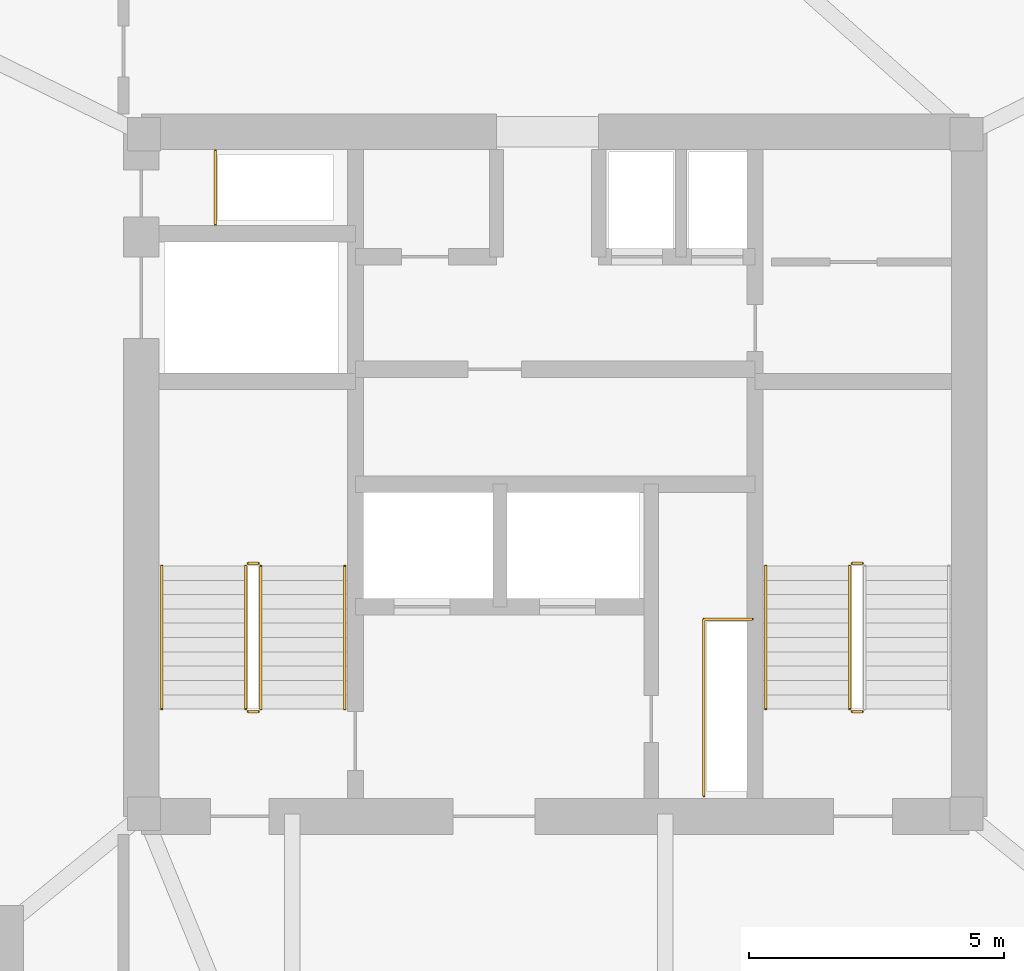
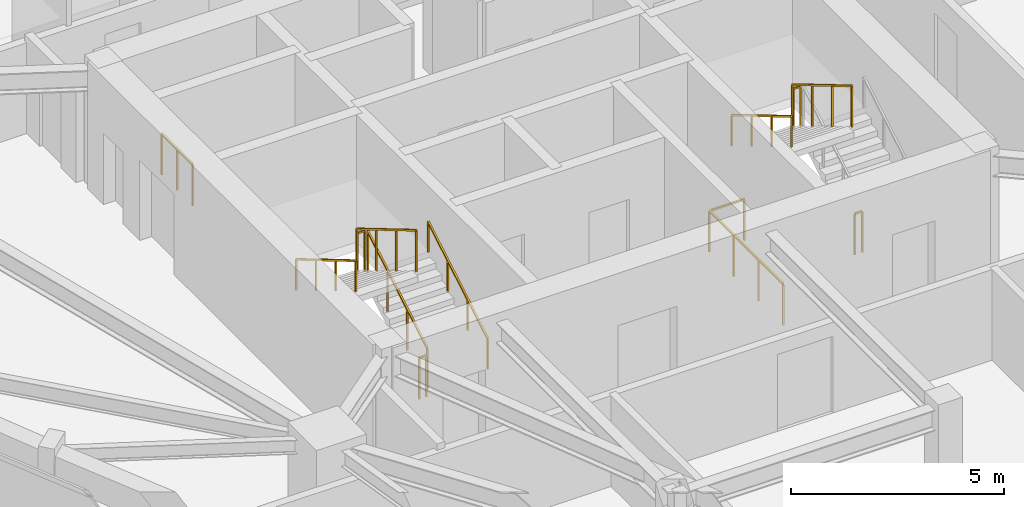
# One storey, part 12 of 13: 12 railings.
"""IFC4 building model written with IfcOpenShell, lengths in metres."""

from ifc_helpers import new_model, si_unit, direction, frame, origin, origin_2d, place, context, subcontext, project, spatial, rectangle, extrude, material, type_object, element, save


model = new_model("IFC4")

# Units and contexts
model_context = context("Model", 3, precision=1e-05, world=origin(), true_north=direction((0.0, 1.0)))
body_context = subcontext(model_context, "Body", "Model", "MODEL_VIEW")
ifc_project = project(units=[si_unit("LENGTHUNIT", "METRE"), si_unit("AREAUNIT", "SQUARE_METRE"), si_unit("VOLUMEUNIT", "CUBIC_METRE"), si_unit("PLANEANGLEUNIT", "RADIAN"), si_unit("MASSUNIT", "GRAM", prefix="KILO")], contexts=[model_context])

# Site, building, storey
site_placement = place(None, origin())
site = spatial("IfcSite", under=ifc_project, at=site_placement, CompositionType="ELEMENT")
building_placement = place(site_placement, origin())
building = spatial("IfcBuilding", under=site, at=building_placement, Name="Talyreon Biosciences Tower", CompositionType="ELEMENT")
storey_placement = place(building_placement, frame((0.0, 0.0, 190.35009765625)))
storey = spatial("IfcBuildingStorey", under=building, at=storey_placement, Name="L50", CompositionType="ELEMENT", Elevation=190.35009765625)

# Railings
ifc_material_1 = material(Name="Brushed stainless-steel tubular handrail", Category="steel")
railing_type_1 = type_object("IfcRailingType", Name="StairWallHandrail_900", PredefinedType="HANDRAIL", material=ifc_material_1)
railing_1_placement = place(storey_placement, frame((61.8798828125, 63.39990234375, 0.165771484375)))
element("IfcRailing", 1, at=railing_1_placement, inside=storey, type_object=railing_type_1, Name="L50 ST-1 stair handrail 1", PredefinedType="HANDRAIL", context=body_context, shape_type="SweptSolid", body=[
    extrude(rectangle(XDim=0.048095703125, YDim=0.048095703125, at=origin_2d()), frame((0.0, 0.0, 0.8759765625), z_axis=(0.0, 0.860306154799, 0.50977771628), x_axis=(-1.0, 0.0, 0.0)), (0.0, 0.0, 1.0), 3.254638671875),
    extrude(rectangle(XDim=0.0419921875, YDim=0.0419921875, at=origin_2d()), origin(), (0.0, 0.0, 1.0), 0.851806640625),
    extrude(rectangle(XDim=0.0419921875, YDim=0.0419921875, at=origin_2d()), frame((0.0, 0.933349609375, 0.552978515625)), (0.0, 0.0, 1.0), 0.851806640625),
    extrude(rectangle(XDim=0.0419921875, YDim=0.0419921875, at=origin_2d()), frame((0.0, 1.86669921875, 1.106201171875)), (0.0, 0.0, 1.0), 0.851806640625),
    extrude(rectangle(XDim=0.0419921875, YDim=0.0419921875, at=origin_2d()), frame((0.0, 2.800048828125, 1.6591796875)), (0.0, 0.0, 1.0), 0.851806640625),
])
for number, where, name in (
    (2, (58.300048828125, 66.199951171875, 1.99072265625), "L50 ST-1 stair handrail 2"),
    (3, (70.1201171875, 66.199951171875, 1.99072265625), "L50 ST-2 stair handrail 2"),
):
    element("IfcRailing", number, at=place(storey_placement, frame(where)), inside=storey, type_object=railing_type_1, Name=name, PredefinedType="HANDRAIL", context=body_context, shape_type="SweptSolid", body=[
        extrude(rectangle(XDim=0.048095703125, YDim=0.048095703125, at=origin_2d()), frame((0.0, 0.0, 0.8759765625), z_axis=(0.0, -0.860306154799, 0.50977771628), x_axis=(1.0, 0.0, 0.0)), (0.0, 0.0, 1.0), 3.254638671875),
        extrude(rectangle(XDim=0.0419921875, YDim=0.0419921875, at=origin_2d()), origin(), (0.0, 0.0, 1.0), 0.851806640625),
        extrude(rectangle(XDim=0.0419921875, YDim=0.0419921875, at=origin_2d()), frame((0.0, -0.933349609375, 0.552978515625)), (0.0, 0.0, 1.0), 0.851806640625),
        extrude(rectangle(XDim=0.0419921875, YDim=0.0419921875, at=origin_2d()), frame((0.0, -1.86669921875, 1.106201171875)), (0.0, 0.0, 1.0), 0.851806640625),
        extrude(rectangle(XDim=0.0419921875, YDim=0.0419921875, at=origin_2d()), frame((0.0, -2.800048828125, 1.6591796875)), (0.0, 0.0, 1.0), 0.851806640625),
    ])
ifc_material_2 = material(Name="Painted galvanised steel post-and-rail balustrade", Category="steel")
railing_type_2 = type_object("IfcRailingType", Name="TerraceStairGuard_1200", PredefinedType="GUARDRAIL", material=ifc_material_2)
railing_2_placement = place(storey_placement, frame((60.239990234375, 63.39990234375, 0.165771484375)))
element("IfcRailing", 4, at=railing_2_placement, inside=storey, type_object=railing_type_2, Name="L50 ST-1 stair guard 1", PredefinedType="GUARDRAIL", context=body_context, shape_type="SweptSolid", body=[
    extrude(rectangle(XDim=0.048095703125, YDim=0.048095703125, at=origin_2d()), frame((0.0, 0.0, 1.17578125), z_axis=(0.0, 0.860306154799, 0.50977771628), x_axis=(-1.0, 0.0, 0.0)), (0.0, 0.0, 1.0), 3.254638671875),
    extrude(rectangle(XDim=0.0419921875, YDim=0.0419921875, at=origin_2d()), origin(), (0.0, 0.0, 1.0), 1.15185546875),
    extrude(rectangle(XDim=0.0419921875, YDim=0.0419921875, at=origin_2d()), frame((0.0, 0.933349609375, 0.552978515625)), (0.0, 0.0, 1.0), 1.15185546875),
    extrude(rectangle(XDim=0.0419921875, YDim=0.0419921875, at=origin_2d()), frame((0.0, 1.86669921875, 1.106201171875)), (0.0, 0.0, 1.0), 1.15185546875),
    extrude(rectangle(XDim=0.0419921875, YDim=0.0419921875, at=origin_2d()), frame((0.0, 2.800048828125, 1.6591796875)), (0.0, 0.0, 1.0), 1.15185546875),
])
railing_3_placement = place(storey_placement, frame((60.18994140625, 66.25, 1.824951171875)))
element("IfcRailing", 5, at=railing_3_placement, inside=storey, type_object=railing_type_2, Name="L50 ST-1 stair guard 2", PredefinedType="GUARDRAIL", context=body_context, shape_type="SweptSolid", body=[
    extrude(rectangle(XDim=0.048095703125, YDim=0.048095703125, at=origin_2d()), frame((0.0, 0.0, 1.17578125), z_axis=(-1.0, 0.0, 0.0), x_axis=(0.0, -1.0, 0.0)), (0.0, 0.0, 1.0), 0.199951171875),
    extrude(rectangle(XDim=0.0419921875, YDim=0.0419921875, at=origin_2d()), origin(), (0.0, 0.0, 1.0), 1.15185546875),
    extrude(rectangle(XDim=0.0419921875, YDim=0.0419921875, at=origin_2d()), frame((-0.199951171875, 0.0, 0.0)), (0.0, 0.0, 1.0), 1.15185546875),
])
railing_4_placement = place(storey_placement, frame((59.93994140625, 66.199951171875, 1.99072265625)))
element("IfcRailing", 6, at=railing_4_placement, inside=storey, type_object=railing_type_2, Name="L50 ST-1 stair guard 3", PredefinedType="GUARDRAIL", context=body_context, shape_type="SweptSolid", body=[
    extrude(rectangle(XDim=0.048095703125, YDim=0.048095703125, at=origin_2d()), frame((0.0, 0.0, 1.17578125), z_axis=(0.0, -0.860306154799, 0.50977771628), x_axis=(1.0, 0.0, 0.0)), (0.0, 0.0, 1.0), 3.254638671875),
    extrude(rectangle(XDim=0.0419921875, YDim=0.0419921875, at=origin_2d()), origin(), (0.0, 0.0, 1.0), 1.15185546875),
    extrude(rectangle(XDim=0.0419921875, YDim=0.0419921875, at=origin_2d()), frame((0.0, -0.933349609375, 0.552978515625)), (0.0, 0.0, 1.0), 1.15185546875),
    extrude(rectangle(XDim=0.0419921875, YDim=0.0419921875, at=origin_2d()), frame((0.0, -1.86669921875, 1.106201171875)), (0.0, 0.0, 1.0), 1.15185546875),
    extrude(rectangle(XDim=0.0419921875, YDim=0.0419921875, at=origin_2d()), frame((0.0, -2.800048828125, 1.6591796875)), (0.0, 0.0, 1.0), 1.15185546875),
])
for number, where, name in (
    (7, (60.18994140625, 63.35009765625, 0.0), "L50 ST-1 stair guard 4"),
    (8, (72.010009765625, 66.25, 1.824951171875), "L50 ST-2 stair guard 2"),
):
    element("IfcRailing", number, at=place(storey_placement, frame(where)), inside=storey, type_object=railing_type_2, Name=name, PredefinedType="GUARDRAIL", context=body_context, shape_type="SweptSolid", body=[
        extrude(rectangle(XDim=0.048095703125, YDim=0.048095703125, at=origin_2d()), frame((0.0, 0.0, 1.17578125), z_axis=(-1.0, 0.0, 0.0), x_axis=(0.0, -1.0, 0.0)), (0.0, 0.0, 1.0), 0.199951171875),
        extrude(rectangle(XDim=0.0419921875, YDim=0.0419921875, at=origin_2d()), origin(), (0.0, 0.0, 1.0), 1.15185546875),
        extrude(rectangle(XDim=0.0419921875, YDim=0.0419921875, at=origin_2d()), frame((-0.199951171875, 0.0, 0.0)), (0.0, 0.0, 1.0), 1.15185546875),
    ])
railing_5_placement = place(storey_placement, frame((71.760009765625, 66.199951171875, 1.99072265625)))
element("IfcRailing", 9, at=railing_5_placement, inside=storey, type_object=railing_type_2, Name="L50 ST-2 stair guard 3", PredefinedType="GUARDRAIL", context=body_context, shape_type="SweptSolid", body=[
    extrude(rectangle(XDim=0.048095703125, YDim=0.048095703125, at=origin_2d()), frame((0.0, 0.0, 1.17578125), z_axis=(0.0, -0.860306154799, 0.50977771628), x_axis=(1.0, 0.0, 0.0)), (0.0, 0.0, 1.0), 3.254638671875),
    extrude(rectangle(XDim=0.0419921875, YDim=0.0419921875, at=origin_2d()), origin(), (0.0, 0.0, 1.0), 1.15185546875),
    extrude(rectangle(XDim=0.0419921875, YDim=0.0419921875, at=origin_2d()), frame((0.0, -0.933349609375, 0.552978515625)), (0.0, 0.0, 1.0), 1.15185546875),
    extrude(rectangle(XDim=0.0419921875, YDim=0.0419921875, at=origin_2d()), frame((0.0, -1.86669921875, 1.106201171875)), (0.0, 0.0, 1.0), 1.15185546875),
    extrude(rectangle(XDim=0.0419921875, YDim=0.0419921875, at=origin_2d()), frame((0.0, -2.800048828125, 1.6591796875)), (0.0, 0.0, 1.0), 1.15185546875),
])
railing_6_placement = place(storey_placement, frame((72.010009765625, 63.35009765625, 0.0)))
element("IfcRailing", 10, at=railing_6_placement, inside=storey, type_object=railing_type_2, Name="L50 ST-2 stair guard 4", PredefinedType="GUARDRAIL", context=body_context, shape_type="SweptSolid", body=[
    extrude(rectangle(XDim=0.048095703125, YDim=0.048095703125, at=origin_2d()), frame((0.0, 0.0, 1.17578125), z_axis=(-1.0, 0.0, 0.0), x_axis=(0.0, -1.0, 0.0)), (0.0, 0.0, 1.0), 0.199951171875),
    extrude(rectangle(XDim=0.0419921875, YDim=0.0419921875, at=origin_2d()), origin(), (0.0, 0.0, 1.0), 1.15185546875),
    extrude(rectangle(XDim=0.0419921875, YDim=0.0419921875, at=origin_2d()), frame((-0.199951171875, 0.0, 0.0)), (0.0, 0.0, 1.0), 1.15185546875),
])
railing_7_placement = place(storey_placement, frame((59.35009765625, 72.8798828125, 0.0)))
element("IfcRailing", 11, at=railing_7_placement, inside=storey, type_object=railing_type_2, Name="L50 Exhaust Riser Maintenance Guardrail", PredefinedType="GUARDRAIL", context=body_context, shape_type="SweptSolid", body=[
    extrude(rectangle(XDim=0.048095703125, YDim=0.048095703125, at=origin_2d()), frame((0.0, 0.0, 1.17578125), z_axis=(0.0, 1.0, 0.0), x_axis=(-1.0, 0.0, 0.0)), (0.0, 0.0, 1.0), 1.4501953125),
    extrude(rectangle(XDim=0.0419921875, YDim=0.0419921875, at=origin_2d()), origin(), (0.0, 0.0, 1.0), 1.15185546875),
    extrude(rectangle(XDim=0.0419921875, YDim=0.0419921875, at=origin_2d()), frame((0.0, 0.72509765625, 0.0)), (0.0, 0.0, 1.0), 1.15185546875),
    extrude(rectangle(XDim=0.0419921875, YDim=0.0419921875, at=origin_2d()), frame((0.0, 1.4501953125, 0.0)), (0.0, 0.0, 1.0), 1.15185546875),
])
railing_8_placement = place(storey_placement, frame((68.909912109375, 61.699951171875, 0.0)))
element("IfcRailing", 12, at=railing_8_placement, inside=storey, type_object=railing_type_2, Name="L50 Electrical Riser Maintenance Guardrail", PredefinedType="GUARDRAIL", context=body_context, shape_type="SweptSolid", body=[
    extrude(rectangle(XDim=0.048095703125, YDim=0.048095703125, at=origin_2d()), frame((0.0, 0.0, 1.17578125), z_axis=(0.0, 1.0, 0.0), x_axis=(-1.0, 0.0, 0.0)), (0.0, 0.0, 1.0), 3.4599609375),
    extrude(rectangle(XDim=0.048095703125, YDim=0.048095703125, at=origin_2d()), frame((0.0, 3.4599609375, 1.17578125), z_axis=(1.0, 0.0, 0.0), x_axis=(0.0, 1.0, 0.0)), (0.0, 0.0, 1.0), 0.9501953125),
    extrude(rectangle(XDim=0.0419921875, YDim=0.0419921875, at=origin_2d()), origin(), (0.0, 0.0, 1.0), 1.15185546875),
    extrude(rectangle(XDim=0.0419921875, YDim=0.0419921875, at=origin_2d()), frame((0.0, 1.1533203125, 0.0)), (0.0, 0.0, 1.0), 1.15185546875),
    extrude(rectangle(XDim=0.0419921875, YDim=0.0419921875, at=origin_2d()), frame((0.0, 2.306640625, 0.0)), (0.0, 0.0, 1.0), 1.15185546875),
    extrude(rectangle(XDim=0.0419921875, YDim=0.0419921875, at=origin_2d()), frame((0.0, 3.4599609375, 0.0)), (0.0, 0.0, 1.0), 1.15185546875),
    extrude(rectangle(XDim=0.0419921875, YDim=0.0419921875, at=origin_2d()), frame((0.9501953125, 3.4599609375, 0.0)), (0.0, 0.0, 1.0), 1.15185546875),
])

save(model, "model.ifc")
